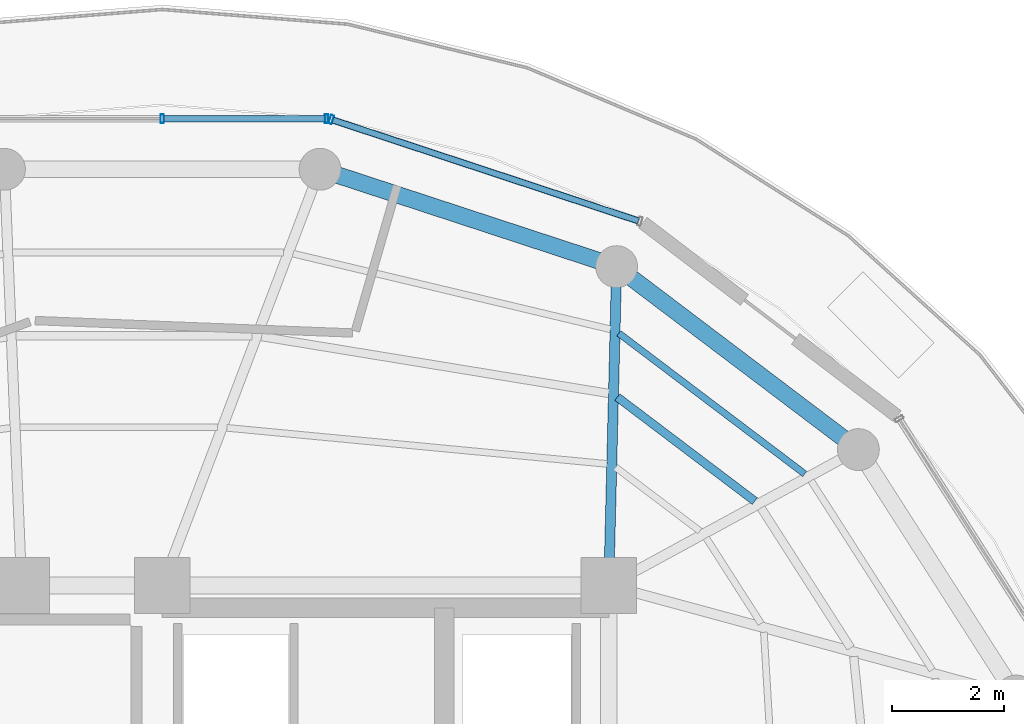
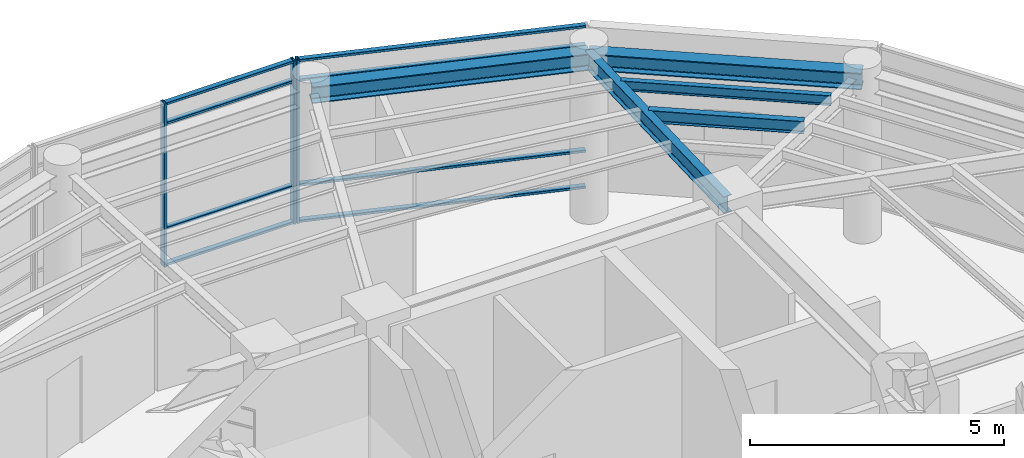
# One storey, part 13 of 20: 11 members, 5 beams, 2 elements without a shape of their own.
"""IFC4 building model written with IfcOpenShell, lengths in metres."""

from ifc_helpers import new_model, si_unit, direction, frame, origin, origin_2d, place, context, subcontext, project, spatial, hollow_rectangle, i_section, extrude, material, layer, layer_set, material_profile, profile_set, type_object, element, aggregate, save


model = new_model("IFC4")

# Units and contexts
model_context = context("Model", 3, precision=1e-05, world=origin(), true_north=direction((0.0, 1.0)))
body_context = subcontext(model_context, "Body", "Model", "MODEL_VIEW")
ifc_project = project(units=[si_unit("LENGTHUNIT", "METRE"), si_unit("AREAUNIT", "SQUARE_METRE"), si_unit("VOLUMEUNIT", "CUBIC_METRE"), si_unit("PLANEANGLEUNIT", "RADIAN"), si_unit("MASSUNIT", "GRAM", prefix="KILO")], contexts=[model_context])

# Site, building, storey
site_placement = place(None, origin())
site = spatial("IfcSite", under=ifc_project, at=site_placement, CompositionType="ELEMENT")
building_placement = place(site_placement, origin())
building = spatial("IfcBuilding", under=site, at=building_placement, Name="Kelanora Arch Commons", CompositionType="ELEMENT")
storey_placement = place(building_placement, frame((0.0, 0.0, 298.5)))
storey = spatial("IfcBuildingStorey", under=building, at=storey_placement, Name="L76", CompositionType="ELEMENT", Elevation=298.5)

# Beams
ifc_material_1 = material(Name="Steel S355", Category="steel")
ifc_material_profile_1 = material_profile(ifc_material_1, i_section(OverallWidth=0.14990234375, OverallDepth=0.300048828125, WebThickness=0.007080078125, FlangeThickness=0.0107421875, FilletRadius=0.014892578125, at=origin_2d()), Name="IPE300")
ifc_profile_set_1 = profile_set([ifc_material_profile_1], Name="Steel S355")
beam_type_1 = type_object("IfcBeamType", Name="BM-JST-01", PredefinedType="JOIST", material=ifc_profile_set_1)
beam_1_placement = place(storey_placement, frame((84.614990234375, 66.512939453125, 3.7900390625), z_axis=(-0.797441333972, 0.603396485632, 0.0), x_axis=(-0.603396485632, -0.797441333972, 0.0)))
element("IfcBeam", 1, at=beam_1_placement, inside=storey, type_object=beam_type_1, Name="Secondary Chord Joist BJB-04 L76", PredefinedType="JOIST", context=body_context, shape_type="SweptSolid", body=[
    extrude(i_section(OverallWidth=0.14990234375, OverallDepth=0.300048828125, WebThickness=0.007080078125, FlangeThickness=0.0107421875, FilletRadius=0.014892578125, at=origin_2d()), origin(), (0.0, 0.0, 1.0), 3.0888671875),
])
ifc_material_profile_2 = material_profile(ifc_material_1, i_section(OverallWidth=0.1201171875, OverallDepth=0.239990234375, WebThickness=0.006103515625, FlangeThickness=0.009765625, FilletRadius=0.014892578125, at=origin_2d()), Name="IPE240")
ifc_profile_set_2 = profile_set([ifc_material_profile_2], Name="Steel S355")
beam_type_2 = type_object("IfcBeamType", Name="BM-JST-02", PredefinedType="JOIST", material=ifc_profile_set_2)
beam_2_placement = place(storey_placement, frame((85.50927734375, 67.000244140625, 3.820068359375), z_axis=(-0.797480905842, 0.603344184373, 0.0), x_axis=(-0.603344184373, -0.797480905842, 0.0)))
element("IfcBeam", 2, at=beam_2_placement, inside=storey, type_object=beam_type_2, Name="Secondary Chord Joist BJC-04 L76", PredefinedType="JOIST", context=body_context, shape_type="SweptSolid", body=[
    extrude(i_section(OverallWidth=0.1201171875, OverallDepth=0.239990234375, WebThickness=0.006103515625, FlangeThickness=0.009765625, FilletRadius=0.014892578125, at=origin_2d()), origin(), (0.0, 0.0, 1.0), 4.175048828125),
])
ifc_material_profile_3 = material_profile(ifc_material_1, i_section(OverallWidth=0.179931640625, OverallDepth=0.39990234375, WebThickness=0.008544921875, FlangeThickness=0.013427734375, FilletRadius=0.02099609375, at=origin_2d()), Name="IPE400")
ifc_profile_set_3 = profile_set([ifc_material_profile_3], Name="Steel S355")
beam_type_3 = type_object("IfcBeamType", Name="BM-RAD-Z5", PredefinedType="BEAM", material=ifc_profile_set_3)
beam_3_placement = place(storey_placement, frame((82.0, 65.0, 3.739990234375), z_axis=(0.0244777504, 0.99970037498, 0.0), x_axis=(-0.99970037498, 0.0244777504, 0.0)))
element("IfcBeam", 3, at=beam_3_placement, inside=storey, type_object=beam_type_3, Name="Radial Floor Girder BR-06 L76", PredefinedType="BEAM", context=body_context, shape_type="SweptSolid", body=[
    extrude(i_section(OverallWidth=0.179931640625, OverallDepth=0.39990234375, WebThickness=0.008544921875, FlangeThickness=0.013427734375, FilletRadius=0.02099609375, at=origin_2d()), origin(), (0.0, 0.0, 1.0), 5.715087890625),
])
ifc_material_profile_4 = material_profile(ifc_material_1, i_section(OverallWidth=0.300048828125, OverallDepth=0.39990234375, WebThickness=0.013427734375, FlangeThickness=0.02392578125, FilletRadius=0.027099609375, at=origin_2d()), Name="HEB400")
ifc_profile_set_4 = profile_set([ifc_material_profile_4], Name="Steel S355")
beam_type_4 = type_object("IfcBeamType", Name="BM-SPN-Z4", PredefinedType="SPANDREL", material=ifc_profile_set_4)
beam_4_placement = place(storey_placement, frame((86.47119140625, 67.43603515625, 3.739990234375), z_axis=(-0.797441458309, 0.603396321309, 0.0), x_axis=(-0.603396321309, -0.797441458309, 0.0)))
element("IfcBeam", 4, at=beam_4_placement, inside=storey, type_object=beam_type_4, Name="Perimeter Spandrel Beam BS-04 L76", PredefinedType="SPANDREL", context=body_context, shape_type="SweptSolid", body=[
    extrude(i_section(OverallWidth=0.300048828125, OverallDepth=0.39990234375, WebThickness=0.013427734375, FlangeThickness=0.02392578125, FilletRadius=0.027099609375, at=origin_2d()), origin(), (0.0, 0.0, 1.0), 5.431396484375),
])
beam_5_placement = place(storey_placement, frame((82.139892578125, 70.71337890625, 3.739990234375), z_axis=(-0.950140083071, 0.311823383572, 0.0), x_axis=(-0.311823383572, -0.950140083071, 0.0)))
element("IfcBeam", 5, at=beam_5_placement, inside=storey, type_object=beam_type_4, Name="Perimeter Spandrel Beam BS-06 L76", PredefinedType="SPANDREL", context=body_context, shape_type="SweptSolid", body=[
    extrude(i_section(OverallWidth=0.300048828125, OverallDepth=0.39990234375, WebThickness=0.013427734375, FlangeThickness=0.02392578125, FilletRadius=0.027099609375, at=origin_2d()), origin(), (0.0, 0.0, 1.0), 5.591796875),
])

# Curtain wall, member
ifc_material_2 = material(Name="Terracotta ceramic-fritted low-E glass and aluminium", Category="masonry")
ifc_layer = layer(ifc_material_2, 0.14990234375)
ifc_layer_set = layer_set([ifc_layer], Name="Terracotta ceramic-fritted low-E glass and aluminium")
curtain_wall_type = type_object("IfcCurtainWallType", Name="CW-SYS-06", PredefinedType="NOTDEFINED", material=ifc_layer_set)
curtain_wall_1_placement = place(storey_placement, origin())
curtain_wall_1 = element("IfcCurtainWall", 6, at=curtain_wall_1_placement, inside=storey, type_object=curtain_wall_type, Name="Unitised Curtain Wall L76-B03", PredefinedType="NOTDEFINED")
ifc_material_3 = material(Name="Powder-coated aluminium terracotta", Category="masonry")
ifc_material_profile_5 = material_profile(ifc_material_3, hollow_rectangle(XDim=0.159912109375, YDim=0.06005859375, WallThickness=0.0048828125, InnerFilletRadius=0.0048828125, OuterFilletRadius=0.010009765625, at=origin_2d()), Name="CWM160x60")
ifc_profile_set_5 = profile_set([ifc_material_profile_5], Name="Powder-coated aluminium terracotta")
member_type_1 = type_object("IfcMemberType", Name="CWM-STD", PredefinedType="MULLION", material=ifc_profile_set_5)
member_1_placement = place(storey_placement, frame((77.029296875, 73.348876953125, 0.0), z_axis=(0.0, 0.0, 1.0), x_axis=(-0.313466845323, -0.949599145368, 0.0)))
member_1 = element("IfcMember", 7, at=member_1_placement, type_object=member_type_1, Name="CW-06 mullion 2", PredefinedType="MULLION", context=body_context, shape_type="SweptSolid", body=[
    extrude(hollow_rectangle(XDim=0.159912109375, YDim=0.06005859375, WallThickness=0.0048828125, InnerFilletRadius=0.0048828125, OuterFilletRadius=0.010009765625, at=origin_2d()), origin(), (0.0, 0.0, 1.0), 3.925048828125),
])

# Curtain wall, members
curtain_wall_2_placement = place(storey_placement, origin())
curtain_wall_2 = element("IfcCurtainWall", 8, at=curtain_wall_2_placement, inside=storey, type_object=curtain_wall_type, Name="Unitised Curtain Wall L76-B04", PredefinedType="NOTDEFINED")
member_2_placement = place(storey_placement, frame((76.941650390625, 73.363037109375, 0.0), z_axis=(0.0, 0.0, 1.0), x_axis=(0.0, -1.0, 0.0)))
member_2 = element("IfcMember", 9, at=member_2_placement, type_object=member_type_1, Name="CW-06 mullion 1", PredefinedType="MULLION", context=body_context, shape_type="SweptSolid", body=[
    extrude(hollow_rectangle(XDim=0.159912109375, YDim=0.06005859375, WallThickness=0.0048828125, InnerFilletRadius=0.0048828125, OuterFilletRadius=0.010009765625, at=origin_2d()), origin(), (0.0, 0.0, 1.0), 3.925048828125),
])
member_3_placement = place(storey_placement, frame((74.0, 73.363037109375, 0.0), z_axis=(0.0, 0.0, 1.0), x_axis=(0.0, -1.0, 0.0)))
member_3 = element("IfcMember", 10, at=member_3_placement, type_object=member_type_1, Name="CW-06 mullion 2", PredefinedType="MULLION", context=body_context, shape_type="SweptSolid", body=[
    extrude(hollow_rectangle(XDim=0.159912109375, YDim=0.06005859375, WallThickness=0.0048828125, InnerFilletRadius=0.0048828125, OuterFilletRadius=0.010009765625, at=origin_2d()), origin(), (0.0, 0.0, 1.0), 3.925048828125),
])

# Member
ifc_material_profile_6 = material_profile(ifc_material_3, hollow_rectangle(XDim=0.1201171875, YDim=0.06005859375, WallThickness=0.0048828125, InnerFilletRadius=0.0048828125, OuterFilletRadius=0.010009765625, at=origin_2d()), Name="CWT120x60")
ifc_profile_set_6 = profile_set([ifc_material_profile_6], Name="Powder-coated aluminium terracotta")
member_type_2 = type_object("IfcMemberType", Name="CWT-STD", PredefinedType="USERDEFINED", material=ifc_profile_set_6)
member_4_placement = place(storey_placement, frame((82.52880859375, 71.533447265625, 0.030029296875), z_axis=(-0.949590431956, 0.31349324002, 0.0), x_axis=(-0.31349324002, -0.949590431956, 0.0)))
member_4 = element("IfcMember", 11, at=member_4_placement, type_object=member_type_2, Name="CW-06 transom 1.1", ObjectType="TRANSOM", PredefinedType="USERDEFINED", context=body_context, shape_type="SweptSolid", body=[
    extrude(hollow_rectangle(XDim=0.1201171875, YDim=0.06005859375, WallThickness=0.0048828125, InnerFilletRadius=0.0048828125, OuterFilletRadius=0.010009765625, at=origin_2d()), origin(), (0.0, 0.0, 1.0), 5.761474609375),
])

member_5_placement = place(storey_placement, frame((82.52880859375, 71.533447265625, 0.89990234375), z_axis=(-0.949590431956, 0.31349324002, 0.0), x_axis=(-0.31349324002, -0.949590431956, 0.0)))
member_5 = element("IfcMember", 12, at=member_5_placement, type_object=member_type_2, Name="CW-06 transom 1.2", ObjectType="TRANSOM", PredefinedType="USERDEFINED", context=body_context, shape_type="SweptSolid", body=[
    extrude(hollow_rectangle(XDim=0.1201171875, YDim=0.06005859375, WallThickness=0.0048828125, InnerFilletRadius=0.0048828125, OuterFilletRadius=0.010009765625, at=origin_2d()), origin(), (0.0, 0.0, 1.0), 5.761474609375),
])

member_6_placement = place(storey_placement, frame((82.52880859375, 71.533447265625, 3.425048828125), z_axis=(-0.949590431956, 0.31349324002, 0.0), x_axis=(-0.31349324002, -0.949590431956, 0.0)))
member_6 = element("IfcMember", 13, at=member_6_placement, type_object=member_type_2, Name="CW-06 transom 1.3", ObjectType="TRANSOM", PredefinedType="USERDEFINED", context=body_context, shape_type="SweptSolid", body=[
    extrude(hollow_rectangle(XDim=0.1201171875, YDim=0.06005859375, WallThickness=0.0048828125, InnerFilletRadius=0.0048828125, OuterFilletRadius=0.010009765625, at=origin_2d()), origin(), (0.0, 0.0, 1.0), 5.761474609375),
])

member_7_placement = place(storey_placement, frame((82.52880859375, 71.533447265625, 3.89501953125), z_axis=(-0.949590431956, 0.31349324002, 0.0), x_axis=(-0.31349324002, -0.949590431956, 0.0)))
member_7 = element("IfcMember", 14, at=member_7_placement, type_object=member_type_2, Name="CW-06 transom 1.4", ObjectType="TRANSOM", PredefinedType="USERDEFINED", context=body_context, shape_type="SweptSolid", body=[
    extrude(hollow_rectangle(XDim=0.1201171875, YDim=0.06005859375, WallThickness=0.0048828125, InnerFilletRadius=0.0048828125, OuterFilletRadius=0.010009765625, at=origin_2d()), origin(), (0.0, 0.0, 1.0), 5.761474609375),
])

aggregate(curtain_wall_1, [member_1, member_4, member_5, member_6, member_7])

member_8_placement = place(storey_placement, frame((76.91162109375, 73.363037109375, 0.030029296875), z_axis=(-1.0, 0.0, 0.0), x_axis=(0.0, -1.0, 0.0)))
member_8 = element("IfcMember", 15, at=member_8_placement, type_object=member_type_2, Name="CW-06 transom 1.1", ObjectType="TRANSOM", PredefinedType="USERDEFINED", context=body_context, shape_type="SweptSolid", body=[
    extrude(hollow_rectangle(XDim=0.1201171875, YDim=0.06005859375, WallThickness=0.0048828125, InnerFilletRadius=0.0048828125, OuterFilletRadius=0.010009765625, at=origin_2d()), origin(), (0.0, 0.0, 1.0), 2.881591796875),
])

member_9_placement = place(storey_placement, frame((76.91162109375, 73.363037109375, 0.89990234375), z_axis=(-1.0, 0.0, 0.0), x_axis=(0.0, -1.0, 0.0)))
member_9 = element("IfcMember", 16, at=member_9_placement, type_object=member_type_2, Name="CW-06 transom 1.2", ObjectType="TRANSOM", PredefinedType="USERDEFINED", context=body_context, shape_type="SweptSolid", body=[
    extrude(hollow_rectangle(XDim=0.1201171875, YDim=0.06005859375, WallThickness=0.0048828125, InnerFilletRadius=0.0048828125, OuterFilletRadius=0.010009765625, at=origin_2d()), origin(), (0.0, 0.0, 1.0), 2.881591796875),
])

member_10_placement = place(storey_placement, frame((76.91162109375, 73.363037109375, 3.425048828125), z_axis=(-1.0, 0.0, 0.0), x_axis=(0.0, -1.0, 0.0)))
member_10 = element("IfcMember", 17, at=member_10_placement, type_object=member_type_2, Name="CW-06 transom 1.3", ObjectType="TRANSOM", PredefinedType="USERDEFINED", context=body_context, shape_type="SweptSolid", body=[
    extrude(hollow_rectangle(XDim=0.1201171875, YDim=0.06005859375, WallThickness=0.0048828125, InnerFilletRadius=0.0048828125, OuterFilletRadius=0.010009765625, at=origin_2d()), origin(), (0.0, 0.0, 1.0), 2.881591796875),
])

member_11_placement = place(storey_placement, frame((76.91162109375, 73.363037109375, 3.89501953125), z_axis=(-1.0, 0.0, 0.0), x_axis=(0.0, -1.0, 0.0)))
member_11 = element("IfcMember", 18, at=member_11_placement, type_object=member_type_2, Name="CW-06 transom 1.4", ObjectType="TRANSOM", PredefinedType="USERDEFINED", context=body_context, shape_type="SweptSolid", body=[
    extrude(hollow_rectangle(XDim=0.1201171875, YDim=0.06005859375, WallThickness=0.0048828125, InnerFilletRadius=0.0048828125, OuterFilletRadius=0.010009765625, at=origin_2d()), origin(), (0.0, 0.0, 1.0), 2.881591796875),
])

aggregate(curtain_wall_2, [member_2, member_3, member_8, member_9, member_10, member_11])

save(model, "model.ifc")
